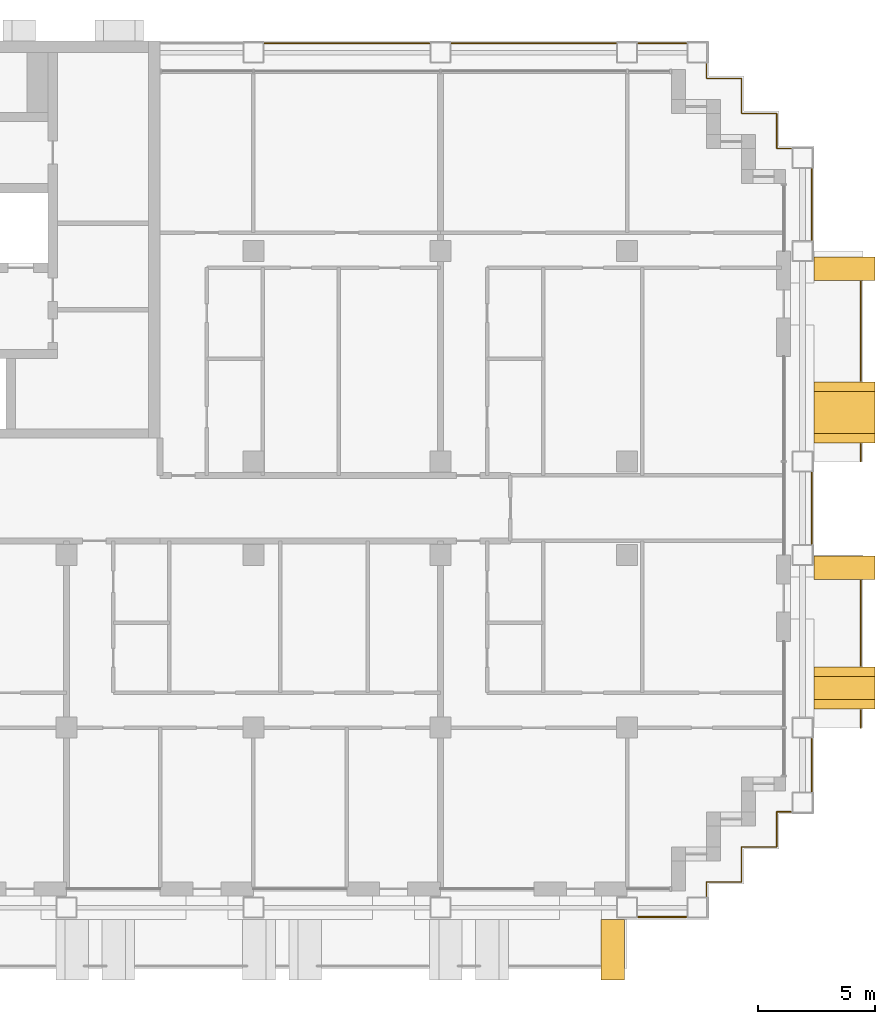
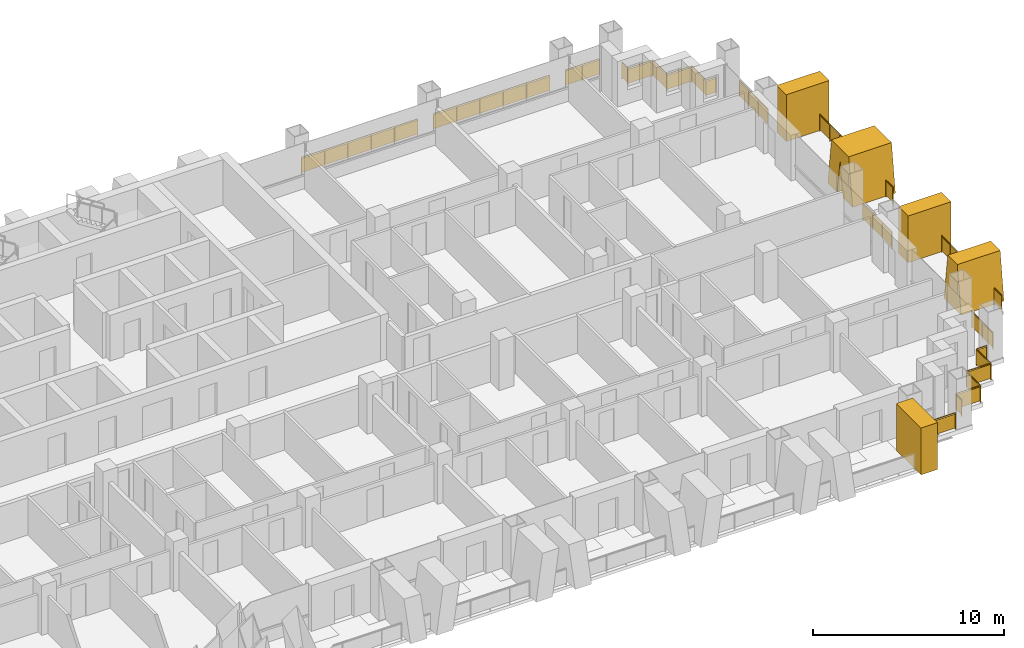
# One storey, part 18 of 18: 13 railings, 5 shading devices.
"""IFC4 building model written with IfcOpenShell, lengths in metres."""

import ifcopenshell
import ifcopenshell.guid

model = None  # the IFC model being written
_history = None  # IfcOwnerHistory: only IFC2X3 demands one
_inside = {}  # id of a spatial element -> (the spatial element, [elements in it])
_under = {}  # id of a project, library or spatial element -> (it, [spatial elements below it])
_declared = {}  # id of a project -> (the project, [libraries it declares])
_typed = {}  # id of a type object -> (the type object, [elements of that type])
_made_of = {}  # id of a material, layer set ... -> (it, [elements and type objects made of it])


def new_model(schema):
    """Start an empty IFC model of exactly this schema.

    Asked for "IFC4X3", IfcOpenShell would pick the latest addendum, in which some entities
    have other attributes; the version numbers below select the first issue.
    IFC2X3 requires an IfcOwnerHistory on every rooted entity: one is made here for all.
    """
    global model, _history
    if schema == "IFC4X3":
        model = ifcopenshell.file(schema_version=(4, 3, 0, 0))
    else:
        model = ifcopenshell.file(schema=schema)
    _inside.clear()
    _under.clear()
    _declared.clear()
    _typed.clear()
    _made_of.clear()
    _history = None
    if model.schema == "IFC2X3":
        org = make("IfcOrganization", Name="unknown")
        user = make(
            "IfcPersonAndOrganization",
            ThePerson=make("IfcPerson", FamilyName="unknown"),
            TheOrganization=org,
        )
        app = make(
            "IfcApplication",
            ApplicationDeveloper=org,
            Version="unknown",
            ApplicationFullName="unknown",
            ApplicationIdentifier="unknown",
        )
        _history = make(
            "IfcOwnerHistory",
            OwningUser=user,
            OwningApplication=app,
            ChangeAction="ADDED",
            CreationDate=0,
        )
    return model


def make(cls, **values):
    """One entity of the class cls with the attributes given. An attribute that is None is left unset."""
    return model.create_entity(
        cls, **{name: value for name, value in values.items() if value is not None}
    )


def rooted(cls, **values):
    """An entity with a GlobalId (a new one), such as an element, a storey or a relation."""
    return make(cls, GlobalId=ifcopenshell.guid.new(), OwnerHistory=_history, **values)


def si_unit(unit_type, name, prefix=None):
    """IfcSIUnit, for example si_unit("LENGTHUNIT", "METRE", prefix="MILLI")."""
    return make("IfcSIUnit", UnitType=unit_type, Prefix=prefix, Name=name)


def assignment(units):
    """IfcUnitAssignment: the units of a project."""
    return None if units is None else make("IfcUnitAssignment", Units=units)


def point(xyz):
    """IfcCartesianPoint."""
    return None if xyz is None else make("IfcCartesianPoint", Coordinates=xyz)


def direction(xyz):
    """IfcDirection."""
    return None if xyz is None else make("IfcDirection", DirectionRatios=xyz)


def frame(location, z_axis=None, x_axis=None):
    """IfcAxis2Placement3D, a coordinate frame: its origin and axes. An axis left out is left unset."""
    return make(
        "IfcAxis2Placement3D",
        Location=point(location),
        Axis=direction(z_axis),
        RefDirection=direction(x_axis),
    )


def frame_2d(location, x_axis=None):
    """IfcAxis2Placement2D, a coordinate frame in the plane: its origin and x axis."""
    return make(
        "IfcAxis2Placement2D", Location=point(location), RefDirection=direction(x_axis)
    )


def origin():
    """The frame at (0, 0, 0) with its axes left unset."""
    return frame((0.0, 0.0, 0.0))


def origin_2d():
    """The frame at (0, 0) in the plane with its x axis left unset."""
    return frame_2d((0.0, 0.0))


def place(relative_to, where):
    """IfcLocalPlacement: puts the frame where relative to a parent placement (None: the world)."""
    return make(
        "IfcLocalPlacement", PlacementRelTo=relative_to, RelativePlacement=where
    )


def context(
    kind, dimensions, precision=None, world=None, true_north=None, identifier=None
):
    """IfcGeometricRepresentationContext, for example the 3D "Model" context."""
    return make(
        "IfcGeometricRepresentationContext",
        ContextIdentifier=identifier,
        ContextType=kind,
        CoordinateSpaceDimension=dimensions,
        Precision=precision,
        WorldCoordinateSystem=world,
        TrueNorth=true_north,
    )


def subcontext(parent, identifier, kind, view, scale=None):
    """IfcGeometricRepresentationSubContext, for example "Body" below "Model"."""
    return make(
        "IfcGeometricRepresentationSubContext",
        ContextIdentifier=identifier,
        ContextType=kind,
        ParentContext=parent,
        TargetScale=scale,
        TargetView=view,
    )


def project(units=None, contexts=None):
    """IfcProject with its units and contexts."""
    return rooted(
        "IfcProject",
        Name="project",
        RepresentationContexts=contexts,
        UnitsInContext=assignment(units),
    )


def spatial(cls, under=None, at=None, **own):
    """A site, building, storey or space (cls), placed at a placement, below another one or the project."""
    s = rooted(cls, ObjectPlacement=at, **own)
    if under is not None:
        _under.setdefault(under.id(), (under, []))[1].append(s)
    return s


def polyline(points):
    """IfcPolyline through the points."""
    return make("IfcPolyline", Points=[point(p) for p in points])


def profile(cls, at=None, kind="AREA", **sizes):
    """A parametric profile (cls). Its sizes go by their IFC names, for example OverallWidth=200.0."""
    return make(cls, ProfileType=kind, Position=at, **sizes)


def rectangle(**sizes):
    """IfcRectangleProfileDef."""
    return profile("IfcRectangleProfileDef", **sizes)


def circle(**sizes):
    """IfcCircleProfileDef."""
    return profile("IfcCircleProfileDef", **sizes)


def outline(outer, holes=None, kind="AREA"):
    """IfcArbitraryClosedProfileDef: a profile drawn as a closed curve; with holes, ...WithVoids."""
    if holes is None:
        return make("IfcArbitraryClosedProfileDef", ProfileType=kind, OuterCurve=outer)
    return make(
        "IfcArbitraryProfileDefWithVoids",
        ProfileType=kind,
        OuterCurve=outer,
        InnerCurves=holes,
    )


def extrude(swept, where, along, depth):
    """IfcExtrudedAreaSolid: the profile swept, set in the frame where, extruded along a direction by depth."""
    return make(
        "IfcExtrudedAreaSolid",
        SweptArea=swept,
        Position=where,
        ExtrudedDirection=direction(along),
        Depth=depth,
    )


def shape(context_of_items, identifier, shape_type, items):
    """IfcShapeRepresentation: the items that make up one representation, for example the "Body"."""
    return make(
        "IfcShapeRepresentation",
        ContextOfItems=context_of_items,
        RepresentationIdentifier=identifier,
        RepresentationType=shape_type,
        Items=items,
    )


def material(Name=None, Category=None):
    """IfcMaterial."""
    return make("IfcMaterial", Name=Name, Category=Category)


def layer(
    of_material, thickness, ventilated=None, Name=None, Category=None, Priority=None
):
    """IfcMaterialLayer: one layer of a wall or slab, of a material (None: an air gap)."""
    return make(
        "IfcMaterialLayer",
        Material=of_material,
        LayerThickness=thickness,
        IsVentilated=ventilated,
        Name=Name,
        Category=Category,
        Priority=Priority,
    )


def layer_set(layers, Name=None):
    """IfcMaterialLayerSet."""
    return make("IfcMaterialLayerSet", MaterialLayers=layers, LayerSetName=Name)


def made_of(thing, what):
    """Note that an element or type object is made of a material, layer set ...; save() writes the relation."""
    if what is not None:
        _made_of.setdefault(what.id(), (what, []))[1].append(thing)
    return thing


def type_object(cls, material=None, **own):
    """A type object (cls), such as IfcWallType, which elements share."""
    return made_of(rooted(cls, **own), material)


def element(
    cls,
    number,
    at=None,
    inside=None,
    cuts=None,
    type_object=None,
    material=None,
    context=None,
    identifier="Body",
    shape_type=None,
    held_by="IfcProductDefinitionShape",
    body=None,
    shapes=None,
    **own,
):
    """One element of the class cls, such as IfcWall. Its Tag is "e" and its number.

    at: its placement. inside: the storey or other place that contains it. cuts: it is an
    opening in that element (IfcRelVoidsElement). A single representation is given by context,
    identifier, shape_type and body (its items); several are given by shapes. held_by: the class
    of the entity that holds the representations. save() writes the other relations.
    """
    e = rooted(cls, Tag="e%d" % number, ObjectPlacement=at, **own)
    if body is not None:
        shapes = [shape(context, identifier, shape_type, body)]
    if shapes is not None:
        e.Representation = make(held_by, Representations=shapes)
    if inside is not None:
        _inside.setdefault(inside.id(), (inside, []))[1].append(e)
    if cuts is not None:
        rooted(
            "IfcRelVoidsElement", RelatingBuildingElement=cuts, RelatedOpeningElement=e
        )
    if type_object is not None:
        _typed.setdefault(type_object.id(), (type_object, []))[1].append(e)
    return made_of(e, material)


def aggregate(whole, parts):
    """IfcRelAggregates: a whole, such as a stair, and the parts it consists of."""
    return rooted("IfcRelAggregates", RelatingObject=whole, RelatedObjects=parts)


def save(model, path):
    """Write the relations noted so far, then the file.

    IfcRelAggregates (storeys below a building ...), IfcRelContainedInSpatialStructure (elements
    in a storey), IfcRelDefinesByType, IfcRelAssociatesMaterial and IfcRelDeclares: one each for
    every whole, place, type object, material and project.
    """
    for whole, parts in _under.values():
        aggregate(whole, parts)
    for where, things in _inside.values():
        rooted(
            "IfcRelContainedInSpatialStructure",
            RelatedElements=things,
            RelatingStructure=where,
        )
    for kind, things in _typed.values():
        rooted("IfcRelDefinesByType", RelatedObjects=things, RelatingType=kind)
    for what, things in _made_of.values():
        rooted("IfcRelAssociatesMaterial", RelatedObjects=things, RelatingMaterial=what)
    for by, libraries in _declared.values():
        rooted("IfcRelDeclares", RelatingContext=by, RelatedDefinitions=libraries)
    model.write(path)


model = new_model("IFC4")

# Units and contexts
model_context = context("Model", 3, precision=1e-05, world=origin(), true_north=direction((0.0, 1.0)))
body_context = subcontext(model_context, "Body", "Model", "MODEL_VIEW")
ifc_project = project(units=[si_unit("LENGTHUNIT", "METRE"), si_unit("AREAUNIT", "SQUARE_METRE"), si_unit("VOLUMEUNIT", "CUBIC_METRE"), si_unit("PLANEANGLEUNIT", "RADIAN"), si_unit("MASSUNIT", "GRAM", prefix="KILO")], contexts=[model_context])

# Site, building, storey
site_placement = place(None, origin())
site = spatial("IfcSite", under=ifc_project, at=site_placement, CompositionType="ELEMENT")
building_placement = place(site_placement, origin())
building = spatial("IfcBuilding", under=site, at=building_placement, Name="Vidyagriha Tower", CompositionType="ELEMENT")
storey_placement = place(building_placement, frame((0.0, 0.0, 83.89990234375)))
storey = spatial("IfcBuildingStorey", under=building, at=storey_placement, Name="L21", CompositionType="ELEMENT", Elevation=83.89990234375)

# Railings
ifc_material_1 = material(Name="Steel ASTM A500 Grade C black painted", Category="steel")
railing_type_1 = type_object("IfcRailingType", Name="Balcony guard 1100", PredefinedType="BALUSTRADE", material=ifc_material_1)
railing_1_placement = place(storey_placement, frame((44.0, -9.39990234375, 0.0)))
element("IfcRailing", 1, at=railing_1_placement, inside=storey, type_object=railing_type_1, Name="Balcony guard L21 R30.1-1", PredefinedType="BALUSTRADE", context=body_context, shape_type="SweptSolid", body=[
    extrude(circle(Radius=0.02490234375, at=origin_2d()), frame((0.0, 0.0, 1.0751953125), z_axis=(0.0, 1.0, 0.0), x_axis=(-1.0, 0.0, 0.0)), (0.0, 0.0, 1.0), 0.75),
    extrude(circle(Radius=0.02001953125, at=origin_2d()), origin(), (0.0, 0.0, 1.0), 1.050048828125),
    extrude(circle(Radius=0.02001953125, at=origin_2d()), frame((0.0, 0.75, 0.0)), (0.0, 0.0, 1.0), 1.050048828125),
    extrude(rectangle(XDim=0.010009765625, YDim=0.900146484375, at=origin_2d()), frame((0.0, 0.0, 0.550048828125), z_axis=(0.0, 1.0, 0.0), x_axis=(-1.0, 0.0, 0.0)), (0.0, 0.0, 1.0), 0.75),
])
railing_2_placement = place(storey_placement, frame((44.0, -6.75, 0.0)))
element("IfcRailing", 2, at=railing_2_placement, inside=storey, type_object=railing_type_1, Name="Balcony guard L21 R30.1-2", PredefinedType="BALUSTRADE", context=body_context, shape_type="SweptSolid", body=[
    extrude(circle(Radius=0.02490234375, at=origin_2d()), frame((0.0, 0.0, 1.0751953125), z_axis=(0.0, 1.0, 0.0), x_axis=(-1.0, 0.0, 0.0)), (0.0, 0.0, 1.0), 3.64990234375),
    extrude(circle(Radius=0.02001953125, at=origin_2d()), origin(), (0.0, 0.0, 1.0), 1.050048828125),
    extrude(circle(Radius=0.02001953125, at=origin_2d()), frame((0.0, 0.91259765625, 0.0)), (0.0, 0.0, 1.0), 1.050048828125),
    extrude(circle(Radius=0.02001953125, at=origin_2d()), frame((0.0, 1.824951171875, 0.0)), (0.0, 0.0, 1.0), 1.050048828125),
    extrude(circle(Radius=0.02001953125, at=origin_2d()), frame((0.0, 2.7373046875, 0.0)), (0.0, 0.0, 1.0), 1.050048828125),
    extrude(circle(Radius=0.02001953125, at=origin_2d()), frame((0.0, 3.64990234375, 0.0)), (0.0, 0.0, 1.0), 1.050048828125),
    extrude(rectangle(XDim=0.010009765625, YDim=0.900146484375, at=origin_2d()), frame((0.0, 0.0, 0.550048828125), z_axis=(0.0, 1.0, 0.0), x_axis=(-1.0, 0.0, 0.0)), (0.0, 0.0, 1.0), 3.64990234375),
])
railing_3_placement = place(storey_placement, frame((44.0, 2.0, 0.0)))
element("IfcRailing", 3, at=railing_3_placement, inside=storey, type_object=railing_type_1, Name="Balcony guard L21 R30.2-1", PredefinedType="BALUSTRADE", context=body_context, shape_type="SweptSolid", body=[
    extrude(circle(Radius=0.02490234375, at=origin_2d()), frame((0.0, 0.0, 1.0751953125), z_axis=(0.0, 1.0, 0.0), x_axis=(-1.0, 0.0, 0.0)), (0.0, 0.0, 1.0), 0.75),
    extrude(circle(Radius=0.02001953125, at=origin_2d()), origin(), (0.0, 0.0, 1.0), 1.050048828125),
    extrude(circle(Radius=0.02001953125, at=origin_2d()), frame((0.0, 0.75, 0.0)), (0.0, 0.0, 1.0), 1.050048828125),
    extrude(rectangle(XDim=0.010009765625, YDim=0.900146484375, at=origin_2d()), frame((0.0, 0.0, 0.550048828125), z_axis=(0.0, 1.0, 0.0), x_axis=(-1.0, 0.0, 0.0)), (0.0, 0.0, 1.0), 0.75),
])
railing_4_placement = place(storey_placement, frame((44.0, 5.449951171875, 0.0)))
element("IfcRailing", 4, at=railing_4_placement, inside=storey, type_object=railing_type_1, Name="Balcony guard L21 R30.2-2", PredefinedType="BALUSTRADE", context=body_context, shape_type="SweptSolid", body=[
    extrude(circle(Radius=0.02490234375, at=origin_2d()), frame((0.0, 0.0, 1.0751953125), z_axis=(0.0, 1.0, 0.0), x_axis=(-1.0, 0.0, 0.0)), (0.0, 0.0, 1.0), 4.25),
    extrude(circle(Radius=0.02001953125, at=origin_2d()), origin(), (0.0, 0.0, 1.0), 1.050048828125),
    extrude(circle(Radius=0.02001953125, at=origin_2d()), frame((0.0, 1.0625, 0.0)), (0.0, 0.0, 1.0), 1.050048828125),
    extrude(circle(Radius=0.02001953125, at=origin_2d()), frame((0.0, 2.125, 0.0)), (0.0, 0.0, 1.0), 1.050048828125),
    extrude(circle(Radius=0.02001953125, at=origin_2d()), frame((0.0, 3.1875, 0.0)), (0.0, 0.0, 1.0), 1.050048828125),
    extrude(circle(Radius=0.02001953125, at=origin_2d()), frame((0.0, 4.25, 0.0)), (0.0, 0.0, 1.0), 1.050048828125),
    extrude(rectangle(XDim=0.010009765625, YDim=0.900146484375, at=origin_2d()), frame((0.0, 0.0, 0.550048828125), z_axis=(0.0, 1.0, 0.0), x_axis=(-1.0, 0.0, 0.0)), (0.0, 0.0, 1.0), 4.25),
])

# Shading devices
ifc_material_2 = material(Name="Precast concrete C40/50 with buff brick facing", Category="concrete")
ifc_layer_1 = layer(ifc_material_2, 1.0)
ifc_layer_set_1 = layer_set([ifc_layer_1], Name="Precast concrete C40/50 with buff brick facing")
shading_device_type_1 = type_object("IfcShadingDeviceType", Name="Brick-faced blade fin forking 8 degrees", PredefinedType="USERDEFINED", material=ifc_layer_set_1)
shading_device_1_placement = place(storey_placement, frame((43.300048828125, -8.60009765625, 0.0), z_axis=(0.0, 0.0, 1.0), x_axis=(0.0, 1.0, 0.0)))
element("IfcShadingDevice", 5, at=shading_device_1_placement, inside=storey, type_object=shading_device_type_1, Name="Forked blade fin L21 R30.210a", ObjectType="BLADE FIN", PredefinedType="USERDEFINED", context=body_context, shape_type="SweptSolid", body=[
    extrude(outline(polyline([(0.0, 0.0), (1.800048828125, 0.0), (1.39990234375, 3.0), (0.39990234375, 3.0), (0.0, 0.0)])), frame((0.0, 1.300048828125, 0.0), z_axis=(0.0, -1.0, 0.0), x_axis=(1.0, 0.0, 0.0)), (0.0, 0.0, 1.0), 2.60009765625),
])
shading_device_2_placement = place(storey_placement, frame((43.300048828125, 2.800048828125, 0.0), z_axis=(0.0, 0.0, 1.0), x_axis=(0.0, 1.0, 0.0)))
element("IfcShadingDevice", 6, at=shading_device_2_placement, inside=storey, type_object=shading_device_type_1, Name="Forked blade fin L21 R30.1350a", ObjectType="BLADE FIN", PredefinedType="USERDEFINED", context=body_context, shape_type="SweptSolid", body=[
    extrude(outline(polyline([(1.0, 0.0), (1.300048828125, 2.25), (1.60009765625, 0.0), (2.60009765625, 0.0), (2.199951171875, 3.0), (0.39990234375, 3.0), (0.0, 0.0), (1.0, 0.0)])), frame((0.0, 1.300048828125, 0.0), z_axis=(0.0, -1.0, 0.0), x_axis=(1.0, 0.0, 0.0)), (0.0, 0.0, 1.0), 2.60009765625),
])
ifc_material_3 = material(Name="Precast concrete C40/50 with buff brick facing", Category="concrete")
ifc_layer_2 = layer(ifc_material_3, 1.0)
ifc_layer_set_2 = layer_set([ifc_layer_2], Name="Precast concrete C40/50 with buff brick facing")
shading_device_type_2 = type_object("IfcShadingDeviceType", Name="Brick-faced blade fin stem 1000", PredefinedType="USERDEFINED", material=ifc_layer_set_2)
shading_device_3_placement = place(storey_placement, frame((32.875, -18.89990234375, 0.0)))
element("IfcShadingDevice", 7, at=shading_device_3_placement, inside=storey, type_object=shading_device_type_2, Name="Stem blade fin L21 R23.5790a", ObjectType="BLADE FIN", PredefinedType="USERDEFINED", context=body_context, shape_type="SweptSolid", body=[
    extrude(outline(polyline([(0.0, 0.0), (1.0, 0.0), (1.0, 3.0), (0.0, 3.0), (0.0, 0.0)])), frame((0.0, 1.300048828125, 0.0), z_axis=(0.0, -1.0, 0.0), x_axis=(1.0, 0.0, 0.0)), (0.0, 0.0, 1.0), 2.60009765625),
])
for number, where, z_axis, x_axis, name in (
    (8, (43.300048828125, -3.050048828125, 0.0), (0.0, 0.0, 1.0), (0.0, 1.0, 0.0), "Stem blade fin L21 R30.950a"),
    (9, (43.300048828125, 9.75, 0.0), (0.0, 0.0, 1.0), (0.0, 1.0, 0.0), "Stem blade fin L21 R30.2250a"),
):
    element("IfcShadingDevice", number, at=place(storey_placement, frame(where, z_axis=z_axis, x_axis=x_axis)), inside=storey, type_object=shading_device_type_2, Name=name, ObjectType="BLADE FIN", PredefinedType="USERDEFINED", context=body_context, shape_type="SweptSolid", body=[
        extrude(outline(polyline([(0.0, 0.0), (1.0, 0.0), (1.0, 3.0), (0.0, 3.0), (0.0, 0.0)])), frame((0.0, 1.300048828125, 0.0), z_axis=(0.0, -1.0, 0.0), x_axis=(1.0, 0.0, 0.0)), (0.0, 0.0, 1.0), 2.60009765625),
    ])

# Railings
ifc_material_4 = material(Name="Steel ASTM A500 Grade C black painted", Category="steel")
railing_type_2 = type_object("IfcRailingType", Name="Gallery guard 1100", PredefinedType="GUARDRAIL", material=ifc_material_4)
for number, where, name in (
    (10, (18.47998046875, 19.89990234375, 0.0), "Gallery guard L21 10"),
    (11, (26.47998046875, 19.89990234375, 0.0), "Gallery guard L21 11"),
):
    element("IfcRailing", number, at=place(storey_placement, frame(where)), inside=storey, type_object=railing_type_2, Name=name, PredefinedType="GUARDRAIL", context=body_context, shape_type="SweptSolid", body=[
        extrude(circle(Radius=0.02490234375, at=origin_2d()), frame((0.0, 0.0, 1.0751953125), z_axis=(1.0, 0.0, 0.0), x_axis=(0.0, 1.0, 0.0)), (0.0, 0.0, 1.0), 7.0400390625),
        extrude(circle(Radius=0.02001953125, at=origin_2d()), origin(), (0.0, 0.0, 1.0), 1.050048828125),
        extrude(circle(Radius=0.02001953125, at=origin_2d()), frame((1.407958984375, 0.0, 0.0)), (0.0, 0.0, 1.0), 1.050048828125),
        extrude(circle(Radius=0.02001953125, at=origin_2d()), frame((2.81591796875, 0.0, 0.0)), (0.0, 0.0, 1.0), 1.050048828125),
        extrude(circle(Radius=0.02001953125, at=origin_2d()), frame((4.22412109375, 0.0, 0.0)), (0.0, 0.0, 1.0), 1.050048828125),
        extrude(circle(Radius=0.02001953125, at=origin_2d()), frame((5.632080078125, 0.0, 0.0)), (0.0, 0.0, 1.0), 1.050048828125),
        extrude(circle(Radius=0.02001953125, at=origin_2d()), frame((7.0400390625, 0.0, 0.0)), (0.0, 0.0, 1.0), 1.050048828125),
        extrude(rectangle(XDim=0.010009765625, YDim=0.900146484375, at=origin_2d()), frame((0.0, 0.0, 0.550048828125), z_axis=(1.0, 0.0, 0.0), x_axis=(0.0, 1.0, 0.0)), (0.0, 0.0, 1.0), 7.0400390625),
    ])
railing_5_placement = place(storey_placement, frame((36.52001953125, -17.5, 0.0)))
element("IfcRailing", 12, at=railing_5_placement, inside=storey, type_object=railing_type_2, Name="Gallery guard L21 12", PredefinedType="GUARDRAIL", context=body_context, shape_type="SweptSolid", body=[
    extrude(circle(Radius=0.02490234375, at=origin_2d()), frame((0.0, 0.0, 1.0751953125), z_axis=(-1.0, 0.0, 0.0), x_axis=(0.0, -1.0, 0.0)), (0.0, 0.0, 1.0), 2.0400390625),
    extrude(circle(Radius=0.02001953125, at=origin_2d()), origin(), (0.0, 0.0, 1.0), 1.050048828125),
    extrude(circle(Radius=0.02001953125, at=origin_2d()), frame((-1.02001953125, 0.0, 0.0)), (0.0, 0.0, 1.0), 1.050048828125),
    extrude(circle(Radius=0.02001953125, at=origin_2d()), frame((-2.0400390625, 0.0, 0.0)), (0.0, 0.0, 1.0), 1.050048828125),
    extrude(rectangle(XDim=0.010009765625, YDim=0.900146484375, at=origin_2d()), frame((0.0, 0.0, 0.550048828125), z_axis=(-1.0, 0.0, 0.0), x_axis=(0.0, -1.0, 0.0)), (0.0, 0.0, 1.0), 2.0400390625),
])
railing_6_placement = place(storey_placement, frame((34.47998046875, 19.89990234375, 0.0)))
element("IfcRailing", 13, at=railing_6_placement, inside=storey, type_object=railing_type_2, Name="Gallery guard L21 13", PredefinedType="GUARDRAIL", context=body_context, shape_type="SweptSolid", body=[
    extrude(circle(Radius=0.02490234375, at=origin_2d()), frame((0.0, 0.0, 1.0751953125), z_axis=(1.0, 0.0, 0.0), x_axis=(0.0, 1.0, 0.0)), (0.0, 0.0, 1.0), 2.0400390625),
    extrude(circle(Radius=0.02001953125, at=origin_2d()), origin(), (0.0, 0.0, 1.0), 1.050048828125),
    extrude(circle(Radius=0.02001953125, at=origin_2d()), frame((1.02001953125, 0.0, 0.0)), (0.0, 0.0, 1.0), 1.050048828125),
    extrude(circle(Radius=0.02001953125, at=origin_2d()), frame((2.0400390625, 0.0, 0.0)), (0.0, 0.0, 1.0), 1.050048828125),
    extrude(rectangle(XDim=0.010009765625, YDim=0.900146484375, at=origin_2d()), frame((0.0, 0.0, 0.550048828125), z_axis=(1.0, 0.0, 0.0), x_axis=(0.0, 1.0, 0.0)), (0.0, 0.0, 1.0), 2.0400390625),
])
railing_7_placement = place(storey_placement, frame((41.02001953125, -13.0, 0.0)))
element("IfcRailing", 14, at=railing_7_placement, inside=storey, type_object=railing_type_2, Name="Gallery guard L21 14", PredefinedType="GUARDRAIL", context=body_context, shape_type="SweptSolid", body=[
    extrude(circle(Radius=0.02490234375, at=origin_2d()), frame((0.0, 0.0, 1.0751953125), z_axis=(-1.0, 0.0, 0.0), x_axis=(0.0, -1.0, 0.0)), (0.0, 0.0, 1.0), 0.6201171875),
    extrude(circle(Radius=0.02490234375, at=origin_2d()), frame((-0.6201171875, 0.0, 1.0751953125), z_axis=(0.0, -1.0, 0.0), x_axis=(1.0, 0.0, 0.0)), (0.0, 0.0, 1.0), 1.5),
    extrude(circle(Radius=0.02490234375, at=origin_2d()), frame((-0.6201171875, -1.5, 1.0751953125), z_axis=(-1.0, 0.0, 0.0), x_axis=(0.0, -1.0, 0.0)), (0.0, 0.0, 1.0), 1.5),
    extrude(circle(Radius=0.02490234375, at=origin_2d()), frame((-2.1201171875, -1.5, 1.0751953125), z_axis=(0.0, -1.0, 0.0), x_axis=(1.0, 0.0, 0.0)), (0.0, 0.0, 1.0), 1.5),
    extrude(circle(Radius=0.02490234375, at=origin_2d()), frame((-2.1201171875, -3.0, 1.0751953125), z_axis=(-1.0, 0.0, 0.0), x_axis=(0.0, -1.0, 0.0)), (0.0, 0.0, 1.0), 1.5),
    extrude(circle(Radius=0.02490234375, at=origin_2d()), frame((-3.6201171875, -3.0, 1.0751953125), z_axis=(0.0, -1.0, 0.0), x_axis=(1.0, 0.0, 0.0)), (0.0, 0.0, 1.0), 0.6201171875),
    extrude(circle(Radius=0.02001953125, at=origin_2d()), origin(), (0.0, 0.0, 1.0), 1.050048828125),
    extrude(circle(Radius=0.02001953125, at=origin_2d()), frame((-0.6201171875, 0.0, 0.0)), (0.0, 0.0, 1.0), 1.050048828125),
    extrude(circle(Radius=0.02001953125, at=origin_2d()), frame((-0.6201171875, -1.5, 0.0)), (0.0, 0.0, 1.0), 1.050048828125),
    extrude(circle(Radius=0.02001953125, at=origin_2d()), frame((-2.1201171875, -1.5, 0.0)), (0.0, 0.0, 1.0), 1.050048828125),
    extrude(circle(Radius=0.02001953125, at=origin_2d()), frame((-2.1201171875, -3.0, 0.0)), (0.0, 0.0, 1.0), 1.050048828125),
    extrude(circle(Radius=0.02001953125, at=origin_2d()), frame((-3.6201171875, -3.0, 0.0)), (0.0, 0.0, 1.0), 1.050048828125),
    extrude(circle(Radius=0.02001953125, at=origin_2d()), frame((-3.6201171875, -3.6201171875, 0.0)), (0.0, 0.0, 1.0), 1.050048828125),
    extrude(rectangle(XDim=0.010009765625, YDim=0.900146484375, at=origin_2d()), frame((0.0, 0.0, 0.550048828125), z_axis=(-1.0, 0.0, 0.0), x_axis=(0.0, -1.0, 0.0)), (0.0, 0.0, 1.0), 0.6201171875),
    extrude(rectangle(XDim=0.010009765625, YDim=0.900146484375, at=origin_2d()), frame((-0.6201171875, 0.0, 0.550048828125), z_axis=(0.0, -1.0, 0.0), x_axis=(1.0, 0.0, 0.0)), (0.0, 0.0, 1.0), 1.5),
    extrude(rectangle(XDim=0.010009765625, YDim=0.900146484375, at=origin_2d()), frame((-0.6201171875, -1.5, 0.550048828125), z_axis=(-1.0, 0.0, 0.0), x_axis=(0.0, -1.0, 0.0)), (0.0, 0.0, 1.0), 1.5),
    extrude(rectangle(XDim=0.010009765625, YDim=0.900146484375, at=origin_2d()), frame((-2.1201171875, -1.5, 0.550048828125), z_axis=(0.0, -1.0, 0.0), x_axis=(1.0, 0.0, 0.0)), (0.0, 0.0, 1.0), 1.5),
    extrude(rectangle(XDim=0.010009765625, YDim=0.900146484375, at=origin_2d()), frame((-2.1201171875, -3.0, 0.550048828125), z_axis=(-1.0, 0.0, 0.0), x_axis=(0.0, -1.0, 0.0)), (0.0, 0.0, 1.0), 1.5),
    extrude(rectangle(XDim=0.010009765625, YDim=0.900146484375, at=origin_2d()), frame((-3.6201171875, -3.0, 0.550048828125), z_axis=(0.0, -1.0, 0.0), x_axis=(1.0, 0.0, 0.0)), (0.0, 0.0, 1.0), 0.6201171875),
])
railing_8_placement = place(storey_placement, frame((37.39990234375, 19.02001953125, 0.0)))
element("IfcRailing", 15, at=railing_8_placement, inside=storey, type_object=railing_type_2, Name="Gallery guard L21 15", PredefinedType="GUARDRAIL", context=body_context, shape_type="SweptSolid", body=[
    extrude(circle(Radius=0.02490234375, at=origin_2d()), frame((0.0, 0.0, 1.0751953125), z_axis=(0.0, -1.0, 0.0), x_axis=(1.0, 0.0, 0.0)), (0.0, 0.0, 1.0), 0.6201171875),
    extrude(circle(Radius=0.02490234375, at=origin_2d()), frame((0.0, -0.6201171875, 1.0751953125), z_axis=(1.0, 0.0, 0.0), x_axis=(0.0, 1.0, 0.0)), (0.0, 0.0, 1.0), 1.5),
    extrude(circle(Radius=0.02490234375, at=origin_2d()), frame((1.5, -0.6201171875, 1.0751953125), z_axis=(0.0, -1.0, 0.0), x_axis=(1.0, 0.0, 0.0)), (0.0, 0.0, 1.0), 1.5),
    extrude(circle(Radius=0.02490234375, at=origin_2d()), frame((1.5, -2.1201171875, 1.0751953125), z_axis=(1.0, 0.0, 0.0), x_axis=(0.0, 1.0, 0.0)), (0.0, 0.0, 1.0), 1.5),
    extrude(circle(Radius=0.02490234375, at=origin_2d()), frame((3.0, -2.1201171875, 1.0751953125), z_axis=(0.0, -1.0, 0.0), x_axis=(1.0, 0.0, 0.0)), (0.0, 0.0, 1.0), 1.5),
    extrude(circle(Radius=0.02490234375, at=origin_2d()), frame((3.0, -3.6201171875, 1.0751953125), z_axis=(1.0, 0.0, 0.0), x_axis=(0.0, 1.0, 0.0)), (0.0, 0.0, 1.0), 0.6201171875),
    extrude(circle(Radius=0.02001953125, at=origin_2d()), origin(), (0.0, 0.0, 1.0), 1.050048828125),
    extrude(circle(Radius=0.02001953125, at=origin_2d()), frame((0.0, -0.6201171875, 0.0)), (0.0, 0.0, 1.0), 1.050048828125),
    extrude(circle(Radius=0.02001953125, at=origin_2d()), frame((1.5, -0.6201171875, 0.0)), (0.0, 0.0, 1.0), 1.050048828125),
    extrude(circle(Radius=0.02001953125, at=origin_2d()), frame((1.5, -2.1201171875, 0.0)), (0.0, 0.0, 1.0), 1.050048828125),
    extrude(circle(Radius=0.02001953125, at=origin_2d()), frame((3.0, -2.1201171875, 0.0)), (0.0, 0.0, 1.0), 1.050048828125),
    extrude(circle(Radius=0.02001953125, at=origin_2d()), frame((3.0, -3.6201171875, 0.0)), (0.0, 0.0, 1.0), 1.050048828125),
    extrude(circle(Radius=0.02001953125, at=origin_2d()), frame((3.6201171875, -3.6201171875, 0.0)), (0.0, 0.0, 1.0), 1.050048828125),
    extrude(rectangle(XDim=0.010009765625, YDim=0.900146484375, at=origin_2d()), frame((0.0, 0.0, 0.550048828125), z_axis=(0.0, -1.0, 0.0), x_axis=(1.0, 0.0, 0.0)), (0.0, 0.0, 1.0), 0.6201171875),
    extrude(rectangle(XDim=0.010009765625, YDim=0.900146484375, at=origin_2d()), frame((0.0, -0.6201171875, 0.550048828125), z_axis=(1.0, 0.0, 0.0), x_axis=(0.0, 1.0, 0.0)), (0.0, 0.0, 1.0), 1.5),
    extrude(rectangle(XDim=0.010009765625, YDim=0.900146484375, at=origin_2d()), frame((1.5, -0.6201171875, 0.550048828125), z_axis=(0.0, -1.0, 0.0), x_axis=(1.0, 0.0, 0.0)), (0.0, 0.0, 1.0), 1.5),
    extrude(rectangle(XDim=0.010009765625, YDim=0.900146484375, at=origin_2d()), frame((1.5, -2.1201171875, 0.550048828125), z_axis=(1.0, 0.0, 0.0), x_axis=(0.0, 1.0, 0.0)), (0.0, 0.0, 1.0), 1.5),
    extrude(rectangle(XDim=0.010009765625, YDim=0.900146484375, at=origin_2d()), frame((3.0, -2.1201171875, 0.550048828125), z_axis=(0.0, -1.0, 0.0), x_axis=(1.0, 0.0, 0.0)), (0.0, 0.0, 1.0), 1.5),
    extrude(rectangle(XDim=0.010009765625, YDim=0.900146484375, at=origin_2d()), frame((3.0, -3.6201171875, 0.550048828125), z_axis=(1.0, 0.0, 0.0), x_axis=(0.0, 1.0, 0.0)), (0.0, 0.0, 1.0), 0.6201171875),
])
railing_9_placement = place(storey_placement, frame((41.89990234375, -9.8798828125, 0.0)))
element("IfcRailing", 16, at=railing_9_placement, inside=storey, type_object=railing_type_2, Name="Gallery guard L21 16", PredefinedType="GUARDRAIL", context=body_context, shape_type="SweptSolid", body=[
    extrude(circle(Radius=0.02490234375, at=origin_2d()), frame((0.0, 0.0, 1.0751953125), z_axis=(0.0, -1.0, 0.0), x_axis=(1.0, 0.0, 0.0)), (0.0, 0.0, 1.0), 2.240234375),
    extrude(circle(Radius=0.02001953125, at=origin_2d()), origin(), (0.0, 0.0, 1.0), 1.050048828125),
    extrude(circle(Radius=0.02001953125, at=origin_2d()), frame((0.0, -1.1201171875, 0.0)), (0.0, 0.0, 1.0), 1.050048828125),
    extrude(circle(Radius=0.02001953125, at=origin_2d()), frame((0.0, -2.240234375, 0.0)), (0.0, 0.0, 1.0), 1.050048828125),
    extrude(rectangle(XDim=0.010009765625, YDim=0.900146484375, at=origin_2d()), frame((0.0, 0.0, 0.550048828125), z_axis=(0.0, -1.0, 0.0), x_axis=(1.0, 0.0, 0.0)), (0.0, 0.0, 1.0), 2.240234375),
])
for number, where, name in (
    (17, (41.89990234375, 1.52001953125, 0.0), "Gallery guard L21 17"),
    (18, (41.89990234375, 14.52001953125, 0.0), "Gallery guard L21 18"),
):
    element("IfcRailing", number, at=place(storey_placement, frame(where)), inside=storey, type_object=railing_type_2, Name=name, PredefinedType="GUARDRAIL", context=body_context, shape_type="SweptSolid", body=[
        extrude(circle(Radius=0.02490234375, at=origin_2d()), frame((0.0, 0.0, 1.0751953125), z_axis=(0.0, -1.0, 0.0), x_axis=(1.0, 0.0, 0.0)), (0.0, 0.0, 1.0), 3.0400390625),
        extrude(circle(Radius=0.02001953125, at=origin_2d()), origin(), (0.0, 0.0, 1.0), 1.050048828125),
        extrude(circle(Radius=0.02001953125, at=origin_2d()), frame((0.0, -1.013427734375, 0.0)), (0.0, 0.0, 1.0), 1.050048828125),
        extrude(circle(Radius=0.02001953125, at=origin_2d()), frame((0.0, -2.026611328125, 0.0)), (0.0, 0.0, 1.0), 1.050048828125),
        extrude(circle(Radius=0.02001953125, at=origin_2d()), frame((0.0, -3.0400390625, 0.0)), (0.0, 0.0, 1.0), 1.050048828125),
        extrude(rectangle(XDim=0.010009765625, YDim=0.900146484375, at=origin_2d()), frame((0.0, 0.0, 0.550048828125), z_axis=(0.0, -1.0, 0.0), x_axis=(1.0, 0.0, 0.0)), (0.0, 0.0, 1.0), 3.0400390625),
    ])

save(model, "model.ifc")
